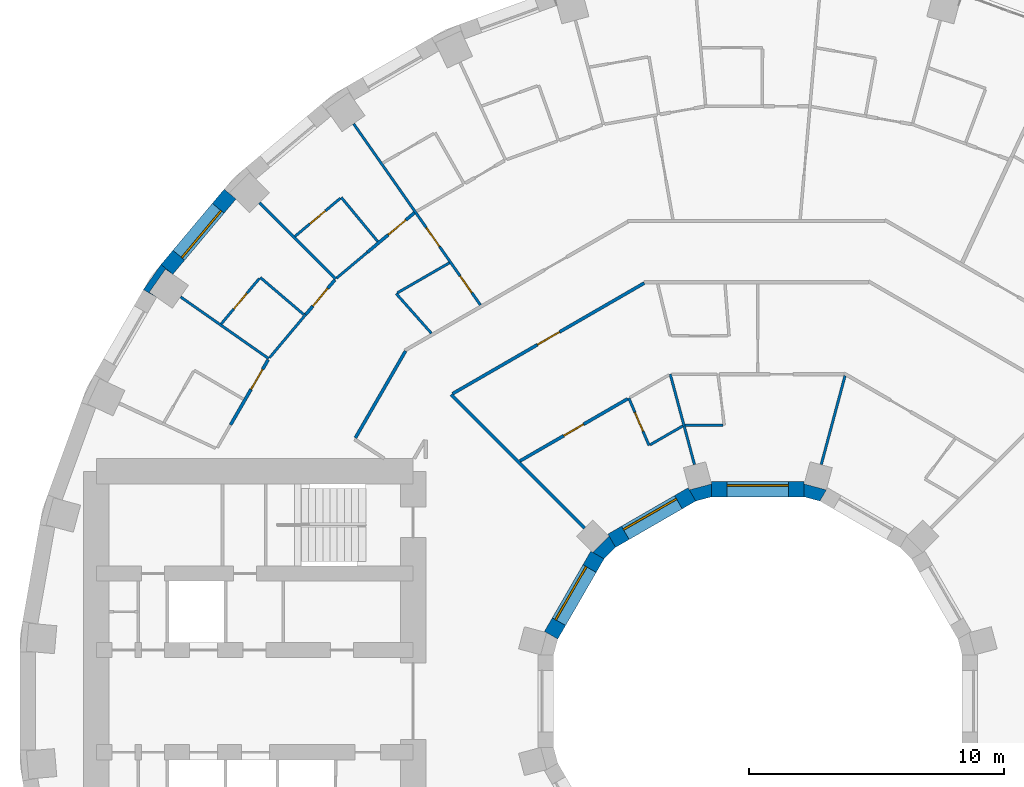
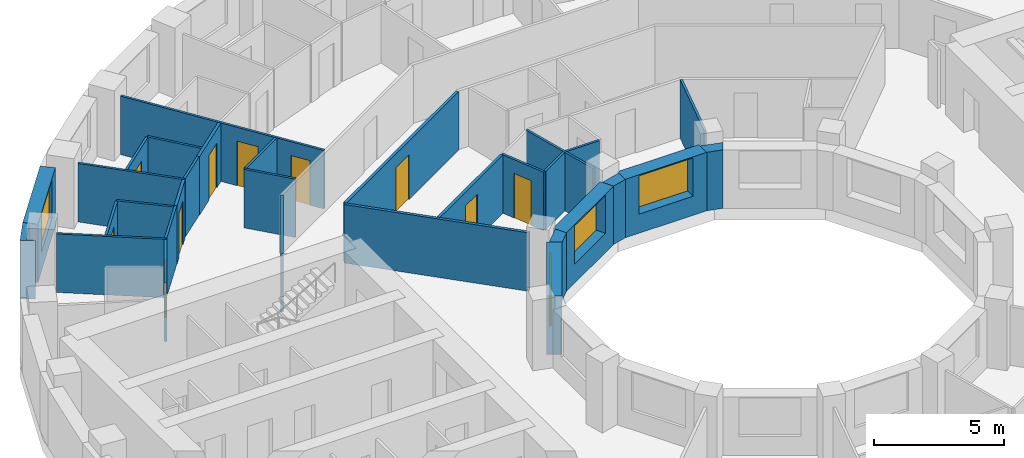
# One storey, part 10 of 15: 31 walls, 10 doors, 4 windows, 14 openings.
"""IFC4 building model written with IfcOpenShell, lengths in metres."""

from ifc_helpers import new_model, si_unit, direction, frame, frame_2d, origin, place, context, subcontext, project, spatial, polyline, rectangle, outline, extrude, material, layer, layer_set, type_object, element, fill, save


model = new_model("IFC4")

# Units and contexts
model_context = context("Model", 3, precision=1e-05, world=origin(), true_north=direction((0.0, 1.0)))
body_context = subcontext(model_context, "Body", "Model", "MODEL_VIEW")
ifc_project = project(units=[si_unit("LENGTHUNIT", "METRE"), si_unit("AREAUNIT", "SQUARE_METRE"), si_unit("VOLUMEUNIT", "CUBIC_METRE"), si_unit("PLANEANGLEUNIT", "RADIAN"), si_unit("MASSUNIT", "GRAM", prefix="KILO")], contexts=[model_context])

# Site, building, storey
site_placement = place(None, origin())
site = spatial("IfcSite", under=ifc_project, at=site_placement, CompositionType="ELEMENT")
building_placement = place(site_placement, origin())
building = spatial("IfcBuilding", under=site, at=building_placement, Name="Saqina Gate Tower", CompositionType="ELEMENT")
storey_placement = place(building_placement, frame((0.0, 0.0, 69.199951171875)))
storey = spatial("IfcBuildingStorey", under=building, at=storey_placement, Name="L19", CompositionType="ELEMENT", Elevation=69.199951171875)

# Wall
ifc_material_1 = material(Name="Brick masonry (red)", Category="masonry")
wall_type_1 = type_object("IfcWallType", Name="BRICK PIER COPING RED", PredefinedType="SOLIDWALL", material=ifc_material_1)
wall_1_placement = place(storey_placement, origin())
element("IfcWall", 1, at=wall_1_placement, inside=storey, type_object=wall_type_1, Name="Pier cap L19 column 15", PredefinedType="SOLIDWALL", context=body_context, shape_type="SweptSolid", body=[
    extrude(outline(polyline([(-23.36669921875, 17.096923828125), (-24.0576171875, 16.110107421875), (-23.5380859375, 15.81005859375), (-23.8251953125, 16.010986328125), (-23.194091796875, 16.912109375), (-22.9072265625, 16.711181640625), (-23.36669921875, 17.096923828125)])), origin(), (0.0, 0.0, 1.0), 2.75),
])

# Wall, opening, window
ifc_material_2 = material(Name="Brick masonry (red)", Category="masonry")
ifc_layer_1 = layer(ifc_material_2, 0.60009765625)
ifc_layer_set_1 = layer_set([ifc_layer_1], Name="FW-BRICK-RED")
wall_type_2 = type_object("IfcWallType", Name="FW-BRICK-RED", PredefinedType="SOLIDWALL", material=ifc_layer_set_1)
wall_2_placement = place(storey_placement, frame((-20.664794921875, 19.85009765625, 0.0), z_axis=(0.0, 0.0, 1.0), x_axis=(-0.642809392687, -0.766026164483, 0.0)))
wall_2 = element("IfcWall", 2, at=wall_2_placement, inside=storey, type_object=wall_type_2, Name="Facade wall L19 facet 14", PredefinedType="SOLIDWALL", context=body_context, shape_type="SweptSolid", body=[
    extrude(rectangle(XDim=3.845947265625, YDim=0.60009765625, at=frame_2d((1.9228515625, 0.0))), origin(), (0.0, 0.0, 1.0), 2.75),
])
opening_1_placement = place(wall_2_placement, frame((0.722900390625, 0.0, 0.89990234375)))
opening_1 = element("IfcOpeningElement", 3, at=opening_1_placement, cuts=wall_2, Name="Opening G05-W08", PredefinedType="OPENING", context=body_context, shape_type="SweptSolid", body=[
    extrude(rectangle(XDim=2.39990234375, YDim=1.800048828125, at=frame_2d((1.199951171875, 0.89990234375))), frame((0.0, 0.31201171875, 0.0), z_axis=(0.0, -1.0, 0.0), x_axis=(1.0, 0.0, 0.0)), (0.0, 0.0, 1.0), 0.6240234375),
])
ifc_material_3 = material(Name="Aluminium glazing", Category="aluminium")
window_type_1 = type_object("IfcWindowType", Name="WN-A", PartitioningType="SINGLE_PANEL", PredefinedType="WINDOW", material=ifc_material_3)
window_1_placement = place(opening_1_placement, origin())
window_1 = element("IfcWindow", 4, at=window_1_placement, inside=storey, type_object=window_type_1, Name="Window L19 facet 14", OverallHeight=1.800048828125, OverallWidth=2.39990234375, PartitioningType="SINGLE_PANEL", PredefinedType="WINDOW", context=body_context, shape_type="SweptSolid", body=[
    extrude(rectangle(XDim=2.39990234375, YDim=1.800048828125, at=frame_2d((1.199951171875, 0.89990234375))), frame((0.0, 0.179931640625, 0.0), z_axis=(0.0, -1.0, 0.0), x_axis=(1.0, 0.0, 0.0)), (0.0, 0.0, 1.0), 0.06005859375),
])
fill(opening_1, window_1)

ifc_material_4 = material(Name="Glazed ceramic tile", Category="ceramic")
ifc_layer_2 = layer(ifc_material_4, 0.60009765625)
ifc_layer_set_2 = layer_set([ifc_layer_2], Name="IW-TILE")
wall_type_3 = type_object("IfcWallType", Name="IW-TILE", PredefinedType="SOLIDWALL", material=ifc_layer_set_2)
wall_3_placement = place(storey_placement, frame((1.8125, 8.300048828125, 0.0), z_axis=(0.0, 0.0, 1.0), x_axis=(-1.0, 0.0, 0.0)))
wall_3 = element("IfcWall", 5, at=wall_3_placement, inside=storey, type_object=wall_type_3, Name="Well wall L19 facet 3", PredefinedType="SOLIDWALL", context=body_context, shape_type="SweptSolid", body=[
    extrude(rectangle(XDim=3.625, YDim=0.60009765625, at=frame_2d((1.8125, 0.0))), origin(), (0.0, 0.0, 1.0), 2.75),
])
opening_2_placement = place(wall_3_placement, frame((0.612548828125, 0.0, 0.89990234375)))
opening_2 = element("IfcOpeningElement", 6, at=opening_2_placement, cuts=wall_3, Name="Opening G05-W25", PredefinedType="OPENING", context=body_context, shape_type="SweptSolid", body=[
    extrude(rectangle(XDim=2.39990234375, YDim=1.800048828125, at=frame_2d((1.199951171875, 0.89990234375))), frame((0.0, 0.31201171875, 0.0), z_axis=(0.0, -1.0, 0.0), x_axis=(1.0, 0.0, 0.0)), (0.0, 0.0, 1.0), 0.6240234375),
])
ifc_material_5 = material(Name="Aluminium glazing", Category="aluminium")
window_type_2 = type_object("IfcWindowType", Name="WN-W", PartitioningType="SINGLE_PANEL", PredefinedType="WINDOW", material=ifc_material_5)
window_2_placement = place(opening_2_placement, origin())
window_2 = element("IfcWindow", 7, at=window_2_placement, inside=storey, type_object=window_type_2, Name="Well window L19 facet 3", OverallHeight=1.800048828125, OverallWidth=2.39990234375, PartitioningType="SINGLE_PANEL", PredefinedType="WINDOW", context=body_context, shape_type="SweptSolid", body=[
    extrude(rectangle(XDim=2.39990234375, YDim=1.800048828125, at=frame_2d((1.199951171875, 0.89990234375))), frame((0.0, -0.119873046875, 0.0), z_axis=(0.0, -1.0, 0.0), x_axis=(1.0, 0.0, 0.0)), (0.0, 0.0, 1.0), 0.06005859375),
])
fill(opening_2, window_2)

wall_4_placement = place(storey_placement, frame((-2.580322265625, 8.09423828125, 0.0), z_axis=(0.0, 0.0, 1.0), x_axis=(-0.866029693906, -0.499992569217, 0.0)))
wall_4 = element("IfcWall", 8, at=wall_4_placement, inside=storey, type_object=wall_type_3, Name="Well wall L19 facet 4", PredefinedType="SOLIDWALL", context=body_context, shape_type="SweptSolid", body=[
    extrude(rectangle(XDim=3.625, YDim=0.60009765625, at=frame_2d((1.8125, 0.0))), origin(), (0.0, 0.0, 1.0), 2.75),
])
opening_3_placement = place(wall_4_placement, frame((0.612548828125, 0.0, 0.89990234375)))
opening_3 = element("IfcOpeningElement", 9, at=opening_3_placement, cuts=wall_4, Name="Opening G05-W26", PredefinedType="OPENING", context=body_context, shape_type="SweptSolid", body=[
    extrude(rectangle(XDim=2.39990234375, YDim=1.800048828125, at=frame_2d((1.199951171875, 0.89990234375))), frame((0.0, 0.31201171875, 0.0), z_axis=(0.0, -1.0, 0.0), x_axis=(1.0, 0.0, 0.0)), (0.0, 0.0, 1.0), 0.6240234375),
])
window_3_placement = place(opening_3_placement, origin())
window_3 = element("IfcWindow", 10, at=window_3_placement, inside=storey, type_object=window_type_2, Name="Well window L19 facet 4", OverallHeight=1.800048828125, OverallWidth=2.39990234375, PartitioningType="SINGLE_PANEL", PredefinedType="WINDOW", context=body_context, shape_type="SweptSolid", body=[
    extrude(rectangle(XDim=2.39990234375, YDim=1.800048828125, at=frame_2d((1.199951171875, 0.89990234375))), frame((0.0, -0.119873046875, 0.0), z_axis=(0.0, -1.0, 0.0), x_axis=(1.0, 0.0, 0.0)), (0.0, 0.0, 1.0), 0.06005859375),
])
fill(opening_3, window_3)

wall_5_placement = place(storey_placement, frame((-6.28173828125, 5.7197265625, 0.0), z_axis=(0.0, 0.0, 1.0), x_axis=(-0.499992569217, -0.866029693906, 0.0)))
wall_5 = element("IfcWall", 11, at=wall_5_placement, inside=storey, type_object=wall_type_3, Name="Well wall L19 facet 5", PredefinedType="SOLIDWALL", context=body_context, shape_type="SweptSolid", body=[
    extrude(rectangle(XDim=3.625, YDim=0.60009765625, at=frame_2d((1.8125, 0.0))), origin(), (0.0, 0.0, 1.0), 2.75),
])
opening_4_placement = place(wall_5_placement, frame((0.612548828125, 0.0, 0.89990234375)))
opening_4 = element("IfcOpeningElement", 12, at=opening_4_placement, cuts=wall_5, Name="Opening G05-W27", PredefinedType="OPENING", context=body_context, shape_type="SweptSolid", body=[
    extrude(rectangle(XDim=2.39990234375, YDim=1.800048828125, at=frame_2d((1.199951171875, 0.89990234375))), frame((0.0, 0.31201171875, 0.0), z_axis=(0.0, -1.0, 0.0), x_axis=(1.0, 0.0, 0.0)), (0.0, 0.0, 1.0), 0.6240234375),
])
window_4_placement = place(opening_4_placement, origin())
window_4 = element("IfcWindow", 13, at=window_4_placement, inside=storey, type_object=window_type_2, Name="Well window L19 facet 5", OverallHeight=1.800048828125, OverallWidth=2.39990234375, PartitioningType="SINGLE_PANEL", PredefinedType="WINDOW", context=body_context, shape_type="SweptSolid", body=[
    extrude(rectangle(XDim=2.39990234375, YDim=1.800048828125, at=frame_2d((1.199951171875, 0.89990234375))), frame((0.0, -0.119873046875, 0.0), z_axis=(0.0, -1.0, 0.0), x_axis=(1.0, 0.0, 0.0)), (0.0, 0.0, 1.0), 0.06005859375),
])
fill(opening_4, window_4)

# Wall
ifc_material_6 = material(Name="Gypsum board on steel studs, 100 mm", Category="steel")
ifc_layer_3 = layer(ifc_material_6, 0.10009765625)
ifc_layer_set_3 = layer_set([ifc_layer_3], Name="PARTITION 100")
wall_type_4 = type_object("IfcWallType", Name="PARTITION 100", PredefinedType="PARTITIONING", material=ifc_layer_set_3)
wall_6_placement = place(storey_placement, frame((-3.429931640625, 12.800048828125, 0.0), z_axis=(0.0, 0.0, 1.0), x_axis=(0.258858359558, -0.965915291155, 0.0)))
element("IfcWall", 14, at=wall_6_placement, inside=storey, type_object=wall_type_4, Name="PARTITION PW3-13", PredefinedType="PARTITIONING", context=body_context, shape_type="SweptSolid", body=[
    extrude(rectangle(XDim=3.659423828125, YDim=0.10009765625, at=frame_2d((1.82958984375, 0.0))), origin(), (0.0, 0.0, 1.0), 2.75),
])

# Wall, opening, door
wall_7_placement = place(storey_placement, frame((-5.050048828125, 11.864013671875, 0.0), z_axis=(0.0, 0.0, 1.0), x_axis=(0.391782259177, -0.920057966323, 0.0)))
wall_7 = element("IfcWall", 15, at=wall_7_placement, inside=storey, type_object=wall_type_4, Name="PARTITION PW3-18", PredefinedType="PARTITIONING", context=body_context, shape_type="SweptSolid", body=[
    extrude(rectangle(XDim=2.013916015625, YDim=0.10009765625, at=frame_2d((1.0068359375, 0.0))), origin(), (0.0, 0.0, 1.0), 2.75),
])
opening_5_placement = place(wall_7_placement, frame((0.60693359375, 0.0, 0.0)))
opening_5 = element("IfcOpeningElement", 16, at=opening_5_placement, cuts=wall_7, Name="Opening G05-D22", PredefinedType="OPENING", context=body_context, shape_type="SweptSolid", body=[
    extrude(rectangle(XDim=0.800048828125, YDim=2.10009765625, at=frame_2d((0.39990234375, 1.050048828125))), frame((0.0, 0.06201171875, 0.0), z_axis=(0.0, -1.0, 0.0), x_axis=(1.0, 0.0, 0.0)), (0.0, 0.0, 1.0), 0.1240234375),
])
ifc_material_7 = material(Name="Timber door leaf, 800 mm", Category="wood")
door_type_1 = type_object("IfcDoorType", Name="DOOR 800 TIMBER", OperationType="SINGLE_SWING_LEFT", PredefinedType="DOOR", material=ifc_material_7)
door_1_placement = place(opening_5_placement, frame((0.800048828125, 0.0, 0.0), z_axis=(0.0, 0.0, 1.0), x_axis=(-1.0, 0.0, 0.0)))
door_1 = element("IfcDoor", 17, at=door_1_placement, inside=storey, type_object=door_type_1, Name="DOOR G05-D22", OperationType="SINGLE_SWING_RIGHT", OverallHeight=2.10009765625, OverallWidth=0.800048828125, PredefinedType="DOOR", context=body_context, shape_type="SweptSolid", body=[
    extrude(rectangle(XDim=0.800048828125, YDim=2.10009765625, at=frame_2d((0.39990234375, 1.050048828125))), frame((0.0, 0.02490234375, 0.0), z_axis=(0.0, -1.0, 0.0), x_axis=(1.0, 0.0, 0.0)), (0.0, 0.0, 1.0), 0.050048828125),
])
fill(opening_5, door_1)

# Wall, openings, doors
wall_8_placement = place(storey_placement, frame((-15.82470703125, 22.6005859375, 0.0), z_axis=(0.0, 0.0, 1.0), x_axis=(0.57339608395, -0.819278298816, 0.0)))
wall_8 = element("IfcWall", 18, at=wall_8_placement, inside=storey, type_object=wall_type_4, Name="PARTITION PW3-24", PredefinedType="PARTITIONING", context=body_context, shape_type="SweptSolid", body=[
    extrude(rectangle(XDim=8.6552734375, YDim=0.10009765625, at=frame_2d((4.32763671875, 0.0))), origin(), (0.0, 0.0, 1.0), 2.75),
])
opening_6_placement = place(wall_8_placement, frame((7.263671875, 0.0, 0.0)))
opening_6 = element("IfcOpeningElement", 19, at=opening_6_placement, cuts=wall_8, Name="Opening G05-D28", PredefinedType="OPENING", context=body_context, shape_type="SweptSolid", body=[
    extrude(rectangle(XDim=0.800048828125, YDim=2.10009765625, at=frame_2d((0.39990234375, 1.050048828125))), frame((0.0, 0.06201171875, 0.0), z_axis=(0.0, -1.0, 0.0), x_axis=(1.0, 0.0, 0.0)), (0.0, 0.0, 1.0), 0.1240234375),
])
opening_7_placement = place(wall_8_placement, frame((4.96044921875, 0.0, 0.0)))
opening_7 = element("IfcOpeningElement", 20, at=opening_7_placement, cuts=wall_8, Name="Opening G05-D29", PredefinedType="OPENING", context=body_context, shape_type="SweptSolid", body=[
    extrude(rectangle(XDim=0.89990234375, YDim=2.10009765625, at=frame_2d((0.449951171875, 1.050048828125))), frame((0.0, 0.06201171875, 0.0), z_axis=(0.0, -1.0, 0.0), x_axis=(1.0, 0.0, 0.0)), (0.0, 0.0, 1.0), 0.1240234375),
])
door_2_placement = place(opening_6_placement, origin())
door_2 = element("IfcDoor", 21, at=door_2_placement, inside=storey, type_object=door_type_1, Name="DOOR G05-D28", OperationType="SINGLE_SWING_RIGHT", OverallHeight=2.10009765625, OverallWidth=0.800048828125, PredefinedType="DOOR", context=body_context, shape_type="SweptSolid", body=[
    extrude(rectangle(XDim=0.800048828125, YDim=2.10009765625, at=frame_2d((0.39990234375, 1.050048828125))), frame((0.0, 0.02490234375, 0.0), z_axis=(0.0, -1.0, 0.0), x_axis=(1.0, 0.0, 0.0)), (0.0, 0.0, 1.0), 0.050048828125),
])
fill(opening_6, door_2)
ifc_material_8 = material(Name="Timber door leaf, 900 mm", Category="wood")
door_type_2 = type_object("IfcDoorType", Name="DOOR 900 TIMBER", OperationType="SINGLE_SWING_LEFT", PredefinedType="DOOR", material=ifc_material_8)
door_3_placement = place(opening_7_placement, frame((0.89990234375, 0.0, 0.0), z_axis=(0.0, 0.0, 1.0), x_axis=(-1.0, 0.0, 0.0)))
door_3 = element("IfcDoor", 22, at=door_3_placement, inside=storey, type_object=door_type_2, Name="DOOR G05-D29", OperationType="SINGLE_SWING_LEFT", OverallHeight=2.10009765625, OverallWidth=0.89990234375, PredefinedType="DOOR", context=body_context, shape_type="SweptSolid", body=[
    extrude(rectangle(XDim=0.89990234375, YDim=2.10009765625, at=frame_2d((0.449951171875, 1.050048828125))), frame((0.0, 0.02490234375, 0.0), z_axis=(0.0, -1.0, 0.0), x_axis=(1.0, 0.0, 0.0)), (0.0, 0.0, 1.0), 0.050048828125),
])
fill(opening_7, door_3)

# Walls
wall_9_placement = place(storey_placement, frame((-16.30810546875, 19.720947265625, 0.0), z_axis=(0.0, 0.0, 1.0), x_axis=(0.637464982276, -0.770479328971, 0.0)))
element("IfcWall", 23, at=wall_9_placement, inside=storey, type_object=wall_type_4, Name="PARTITION PW3-28", PredefinedType="PARTITIONING", context=body_context, shape_type="SweptSolid", body=[
    extrude(rectangle(XDim=2.2373046875, YDim=0.10009765625, at=frame_2d((1.11865234375, 0.0))), origin(), (0.0, 0.0, 1.0), 2.75),
])
wall_10_placement = place(storey_placement, frame((-14.162109375, 15.95703125, 0.0), z_axis=(0.0, 0.0, 1.0), x_axis=(0.663919519931, -0.747804032521, 0.0)))
element("IfcWall", 24, at=wall_10_placement, inside=storey, type_object=wall_type_4, Name="PARTITION PW3-30", PredefinedType="PARTITIONING", context=body_context, shape_type="SweptSolid", body=[
    extrude(rectangle(XDim=2.0810546875, YDim=0.10009765625, at=frame_2d((1.04052734375, 0.0))), origin(), (0.0, 0.0, 1.0), 2.75),
])
wall_11_placement = place(storey_placement, frame((-19.509033203125, 19.509033203125, 0.0), z_axis=(0.0, 0.0, 1.0), x_axis=(0.707106781187, -0.707106781187, 0.0)))
element("IfcWall", 25, at=wall_11_placement, inside=storey, type_object=wall_type_4, Name="PARTITION PW3-31", PredefinedType="PARTITIONING", context=body_context, shape_type="SweptSolid", body=[
    extrude(rectangle(XDim=4.211669921875, YDim=0.10009765625, at=frame_2d((2.10595703125, 0.0))), origin(), (0.0, 0.0, 1.0), 2.75),
])
wall_12_placement = place(storey_placement, frame((-19.48388671875, 16.590087890625, 0.0), z_axis=(0.0, 0.0, 1.0), x_axis=(0.761325032224, -0.648370415201, 0.0)))
element("IfcWall", 26, at=wall_12_placement, inside=storey, type_object=wall_type_4, Name="PARTITION PW3-34", PredefinedType="PARTITIONING", context=body_context, shape_type="SweptSolid", body=[
    extrude(rectangle(XDim=2.237060546875, YDim=0.10009765625, at=frame_2d((1.11865234375, 0.0))), origin(), (0.0, 0.0, 1.0), 2.75),
])
wall_13_placement = place(storey_placement, frame((-22.599853515625, 15.82568359375, 0.0), z_axis=(0.0, 0.0, 1.0), x_axis=(0.818956755678, -0.573855236388, 0.0)))
element("IfcWall", 27, at=wall_13_placement, inside=storey, type_object=wall_type_4, Name="PARTITION PW3-39", PredefinedType="PARTITIONING", context=body_context, shape_type="SweptSolid", body=[
    extrude(rectangle(XDim=4.21142578125, YDim=0.10009765625, at=frame_2d((2.105712890625, 0.0))), origin(), (0.0, 0.0, 1.0), 2.75),
])
wall_14_placement = place(storey_placement, frame((-2.843994140625, 10.800048828125, 0.0), z_axis=(0.0, 0.0, 1.0), x_axis=(1.0, 0.0, 0.0)))
element("IfcWall", 28, at=wall_14_placement, inside=storey, type_object=wall_type_4, Name="PARTITION PW3-62", PredefinedType="PARTITIONING", context=body_context, shape_type="SweptSolid", body=[
    extrude(rectangle(XDim=1.47900390625, YDim=0.10009765625, at=frame_2d((0.739501953125, 0.0))), origin(), (0.0, 0.0, 1.0), 2.75),
])
wall_15_placement = place(storey_placement, frame((-4.2177734375, 10.035888671875, 0.0), z_axis=(0.0, 0.0, 1.0), x_axis=(0.866111350081, 0.499851107092, 0.0)))
element("IfcWall", 29, at=wall_15_placement, inside=storey, type_object=wall_type_4, Name="PARTITION PW3-78", PredefinedType="PARTITIONING", context=body_context, shape_type="SweptSolid", body=[
    extrude(rectangle(XDim=1.478515625, YDim=0.10009765625, at=frame_2d((0.7392578125, 0.0))), origin(), (0.0, 0.0, 1.0), 2.75),
])
wall_16_placement = place(storey_placement, frame((-14.11865234375, 15.98193359375, 0.0), z_axis=(0.0, 0.0, 1.0), x_axis=(0.865945816379, 0.5001378241, 0.0)))
element("IfcWall", 30, at=wall_16_placement, inside=storey, type_object=wall_type_4, Name="PARTITION PW3-80", PredefinedType="PARTITIONING", context=body_context, shape_type="SweptSolid", body=[
    extrude(rectangle(XDim=2.357177734375, YDim=0.10009765625, at=frame_2d((1.1787109375, 0.0))), origin(), (0.0, 0.0, 1.0), 2.75),
])
wall_17_placement = place(storey_placement, frame((-16.49267578125, 16.563232421875, 0.0), z_axis=(0.0, 0.0, 1.0), x_axis=(0.765882590802, 0.642980448463, 0.0)))
element("IfcWall", 31, at=wall_17_placement, inside=storey, type_object=wall_type_4, Name="PARTITION PW3-85", PredefinedType="PARTITIONING", context=body_context, shape_type="SweptSolid", body=[
    extrude(rectangle(XDim=1.5693359375, YDim=0.10009765625, at=frame_2d((0.78466796875, 0.0))), origin(), (0.0, 0.0, 1.0), 2.75),
])

# Wall, opening, door
wall_18_placement = place(storey_placement, frame((-18.125732421875, 18.196044921875, 0.0), z_axis=(0.0, 0.0, 1.0), x_axis=(0.766106399864, 0.642713765286, 0.0)))
wall_18 = element("IfcWall", 32, at=wall_18_placement, inside=storey, type_object=wall_type_4, Name="PARTITION PW3-86", PredefinedType="PARTITIONING", context=body_context, shape_type="SweptSolid", body=[
    extrude(rectangle(XDim=2.32275390625, YDim=0.10009765625, at=frame_2d((1.161376953125, 0.0))), origin(), (0.0, 0.0, 1.0), 2.75),
])
opening_8_placement = place(wall_18_placement, frame((0.76123046875, 0.0, 0.0)))
opening_8 = element("IfcOpeningElement", 33, at=opening_8_placement, cuts=wall_18, Name="Opening G05-D31", PredefinedType="OPENING", context=body_context, shape_type="SweptSolid", body=[
    extrude(rectangle(XDim=0.800048828125, YDim=2.10009765625, at=frame_2d((0.39990234375, 1.050048828125))), frame((0.0, 0.06201171875, 0.0), z_axis=(0.0, -1.0, 0.0), x_axis=(1.0, 0.0, 0.0)), (0.0, 0.0, 1.0), 0.1240234375),
])
door_4_placement = place(opening_8_placement, origin())
door_4 = element("IfcDoor", 34, at=door_4_placement, inside=storey, type_object=door_type_1, Name="DOOR G05-D31", OperationType="SINGLE_SWING_RIGHT", OverallHeight=2.10009765625, OverallWidth=0.800048828125, PredefinedType="DOOR", context=body_context, shape_type="SweptSolid", body=[
    extrude(rectangle(XDim=0.800048828125, YDim=2.10009765625, at=frame_2d((0.39990234375, 1.050048828125))), frame((0.0, 0.02490234375, 0.0), z_axis=(0.0, -1.0, 0.0), x_axis=(1.0, 0.0, 0.0)), (0.0, 0.0, 1.0), 0.050048828125),
])
fill(opening_8, door_4)

# Wall
wall_19_placement = place(storey_placement, frame((-19.118896484375, 13.447265625, 0.0), z_axis=(0.0, 0.0, 1.0), x_axis=(0.642771526397, 0.766057938313, 0.0)))
element("IfcWall", 35, at=wall_19_placement, inside=storey, type_object=wall_type_4, Name="PARTITION PW3-91", PredefinedType="PARTITIONING", context=body_context, shape_type="SweptSolid", body=[
    extrude(rectangle(XDim=2.2060546875, YDim=0.10009765625, at=frame_2d((1.10302734375, 0.0))), origin(), (0.0, 0.0, 1.0), 2.75),
])

# Wall, opening, door
wall_20_placement = place(storey_placement, frame((-21.009765625, 14.772216796875, 0.0), z_axis=(0.0, 0.0, 1.0), x_axis=(0.642898772456, 0.765951152734, 0.0)))
wall_20 = element("IfcWall", 36, at=wall_20_placement, inside=storey, type_object=wall_type_4, Name="PARTITION PW3-92", PredefinedType="PARTITIONING", context=body_context, shape_type="SweptSolid", body=[
    extrude(rectangle(XDim=2.3232421875, YDim=0.10009765625, at=frame_2d((1.16162109375, 0.0))), origin(), (0.0, 0.0, 1.0), 2.75),
])
opening_9_placement = place(wall_20_placement, frame((0.76171875, 0.0, 0.0)))
opening_9 = element("IfcOpeningElement", 37, at=opening_9_placement, cuts=wall_20, Name="Opening G05-D33", PredefinedType="OPENING", context=body_context, shape_type="SweptSolid", body=[
    extrude(rectangle(XDim=0.800048828125, YDim=2.10009765625, at=frame_2d((0.39990234375, 1.050048828125))), frame((0.0, 0.06201171875, 0.0), z_axis=(0.0, -1.0, 0.0), x_axis=(1.0, 0.0, 0.0)), (0.0, 0.0, 1.0), 0.1240234375),
])
door_5_placement = place(opening_9_placement, origin())
door_5 = element("IfcDoor", 38, at=door_5_placement, inside=storey, type_object=door_type_1, Name="DOOR G05-D33", OperationType="SINGLE_SWING_LEFT", OverallHeight=2.10009765625, OverallWidth=0.800048828125, PredefinedType="DOOR", context=body_context, shape_type="SweptSolid", body=[
    extrude(rectangle(XDim=0.800048828125, YDim=2.10009765625, at=frame_2d((0.39990234375, 1.050048828125))), frame((0.0, 0.02490234375, 0.0), z_axis=(0.0, -1.0, 0.0), x_axis=(1.0, 0.0, 0.0)), (0.0, 0.0, 1.0), 0.050048828125),
])
fill(opening_9, door_5)

# Walls
wall_21_placement = place(storey_placement, frame((2.48291015625, 9.265380859375, 0.0), z_axis=(0.0, 0.0, 1.0), x_axis=(0.258807332054, 0.965928964715, 0.0)))
element("IfcWall", 39, at=wall_21_placement, inside=storey, type_object=wall_type_4, Name="PARTITION PW3-107", PredefinedType="PARTITIONING", context=body_context, shape_type="SweptSolid", body=[
    extrude(rectangle(XDim=3.596923828125, YDim=0.10009765625, at=frame_2d((1.79833984375, 0.0))), origin(), (0.0, 0.0, 1.0), 2.75),
])
ifc_material_9 = material(Name="Gypsum board on steel studs, 125 mm, fire rated", Category="steel")
ifc_layer_4 = layer(ifc_material_9, 0.125)
ifc_layer_set_4 = layer_set([ifc_layer_4], Name="PARTITION EI 30 125")
wall_type_5 = type_object("IfcWallType", Name="PARTITION EI 30 125", PredefinedType="PARTITIONING", material=ifc_layer_set_4)
wall_22_placement = place(storey_placement, frame((-12.006103515625, 12.006103515625, 0.0), z_axis=(0.0, 0.0, 1.0), x_axis=(0.707106781187, -0.707106781187, 0.0)))
element("IfcWall", 40, at=wall_22_placement, inside=storey, type_object=wall_type_5, Name="PARTITION PW1-05", PredefinedType="PARTITIONING", context=body_context, shape_type="SweptSolid", body=[
    extrude(rectangle(XDim=7.386962890625, YDim=0.125, at=frame_2d((3.693359375, 0.0))), origin(), (0.0, 0.0, 1.0), 2.75),
])

# Wall, opening, door
wall_23_placement = place(storey_placement, frame((-9.31591796875, 9.4013671875, 0.0), z_axis=(0.0, 0.0, 1.0), x_axis=(0.866043838253, 0.499968069204, 0.0)))
wall_23 = element("IfcWall", 41, at=wall_23_placement, inside=storey, type_object=wall_type_5, Name="PARTITION PW1-34", PredefinedType="PARTITIONING", context=body_context, shape_type="SweptSolid", body=[
    extrude(rectangle(XDim=4.875732421875, YDim=0.125, at=frame_2d((2.43798828125, 0.0))), origin(), (0.0, 0.0, 1.0), 2.75),
])
opening_10_placement = place(wall_23_placement, frame((1.981689453125, 0.0, 0.0)))
opening_10 = element("IfcOpeningElement", 42, at=opening_10_placement, cuts=wall_23, Name="Opening G05-D27", PredefinedType="OPENING", context=body_context, shape_type="SweptSolid", body=[
    extrude(rectangle(XDim=0.89990234375, YDim=2.10009765625, at=frame_2d((0.449951171875, 1.050048828125))), frame((0.0, 0.074462890625, 0.0), z_axis=(0.0, -1.0, 0.0), x_axis=(1.0, 0.0, 0.0)), (0.0, 0.0, 1.0), 0.14892578125),
])
ifc_material_10 = material(Name="Fire door leaf EI 30, 900 mm")
door_type_3 = type_object("IfcDoorType", Name="DOOR 900 EI 30", OperationType="SINGLE_SWING_LEFT", PredefinedType="DOOR", material=ifc_material_10)
door_6_placement = place(opening_10_placement, origin())
door_6 = element("IfcDoor", 43, at=door_6_placement, inside=storey, type_object=door_type_3, Name="DOOR G05-D27", OperationType="SINGLE_SWING_LEFT", OverallHeight=2.10009765625, OverallWidth=0.89990234375, PredefinedType="DOOR", context=body_context, shape_type="SweptSolid", body=[
    extrude(rectangle(XDim=0.89990234375, YDim=2.10009765625, at=frame_2d((0.449951171875, 1.050048828125))), frame((0.0, 0.02490234375, 0.0), z_axis=(0.0, -1.0, 0.0), x_axis=(1.0, 0.0, 0.0)), (0.0, 0.0, 1.0), 0.050048828125),
])
fill(opening_10, door_6)

wall_24_placement = place(storey_placement, frame((-11.951904296875, 12.037353515625, 0.0), z_axis=(0.0, 0.0, 1.0), x_axis=(0.866072505035, 0.499918409365, 0.0)))
wall_24 = element("IfcWall", 44, at=wall_24_placement, inside=storey, type_object=wall_type_5, Name="PARTITION PW1-35", PredefinedType="PARTITIONING", context=body_context, shape_type="SweptSolid", body=[
    extrude(rectangle(XDim=8.6640625, YDim=0.125, at=frame_2d((4.33203125, 0.0))), origin(), (0.0, 0.0, 1.0), 2.75),
])
opening_11_placement = place(wall_24_placement, frame((3.83203125, 0.0, 0.0)))
opening_11 = element("IfcOpeningElement", 45, at=opening_11_placement, cuts=wall_24, Name="Opening G05-D25", PredefinedType="OPENING", context=body_context, shape_type="SweptSolid", body=[
    extrude(rectangle(XDim=1.0, YDim=2.10009765625, at=frame_2d((0.5, 1.050048828125))), frame((0.0, 0.074462890625, 0.0), z_axis=(0.0, -1.0, 0.0), x_axis=(1.0, 0.0, 0.0)), (0.0, 0.0, 1.0), 0.14892578125),
])
ifc_material_11 = material(Name="Fire door leaf EI 30, 1000 mm")
door_type_4 = type_object("IfcDoorType", Name="DOOR 1000 EI 30", OperationType="SINGLE_SWING_LEFT", PredefinedType="DOOR", material=ifc_material_11)
door_7_placement = place(opening_11_placement, frame((1.0, 0.0, 0.0), z_axis=(0.0, 0.0, 1.0), x_axis=(-1.0, 0.0, 0.0)))
door_7 = element("IfcDoor", 46, at=door_7_placement, inside=storey, type_object=door_type_4, Name="DOOR G05-D25", OperationType="SINGLE_SWING_LEFT", OverallHeight=2.10009765625, OverallWidth=1.0, PredefinedType="DOOR", context=body_context, shape_type="SweptSolid", body=[
    extrude(rectangle(XDim=1.0, YDim=2.10009765625, at=frame_2d((0.5, 1.050048828125))), frame((0.0, 0.02490234375, 0.0), z_axis=(0.0, -1.0, 0.0), x_axis=(1.0, 0.0, 0.0)), (0.0, 0.0, 1.0), 0.050048828125),
])
fill(opening_11, door_7)

wall_25_placement = place(storey_placement, frame((-15.290771484375, 17.572265625, 0.0), z_axis=(0.0, 0.0, 1.0), x_axis=(0.766188320354, 0.642616104492, 0.0)))
wall_25 = element("IfcWall", 47, at=wall_25_placement, inside=storey, type_object=wall_type_5, Name="PARTITION PW1-41", PredefinedType="PARTITIONING", context=body_context, shape_type="SweptSolid", body=[
    extrude(rectangle(XDim=2.406494140625, YDim=0.125, at=frame_2d((1.203125, 0.0))), origin(), (0.0, 0.0, 1.0), 2.75),
])
opening_12_placement = place(wall_25_placement, frame((1.0712890625, 0.0, 0.0)))
opening_12 = element("IfcOpeningElement", 48, at=opening_12_placement, cuts=wall_25, Name="Opening G05-D30", PredefinedType="OPENING", context=body_context, shape_type="SweptSolid", body=[
    extrude(rectangle(XDim=0.89990234375, YDim=2.10009765625, at=frame_2d((0.449951171875, 1.050048828125))), frame((0.0, 0.074462890625, 0.0), z_axis=(0.0, -1.0, 0.0), x_axis=(1.0, 0.0, 0.0)), (0.0, 0.0, 1.0), 0.14892578125),
])
door_8_placement = place(opening_12_placement, origin())
door_8 = element("IfcDoor", 49, at=door_8_placement, inside=storey, type_object=door_type_3, Name="DOOR G05-D30", OperationType="SINGLE_SWING_RIGHT", OverallHeight=2.10009765625, OverallWidth=0.89990234375, PredefinedType="DOOR", context=body_context, shape_type="SweptSolid", body=[
    extrude(rectangle(XDim=0.89990234375, YDim=2.10009765625, at=frame_2d((0.449951171875, 1.050048828125))), frame((0.0, 0.02490234375, 0.0), z_axis=(0.0, -1.0, 0.0), x_axis=(1.0, 0.0, 0.0)), (0.0, 0.0, 1.0), 0.050048828125),
])
fill(opening_12, door_8)

wall_26_placement = place(storey_placement, frame((-17.700927734375, 15.13720703125, 0.0), z_axis=(0.0, 0.0, 1.0), x_axis=(0.642894375175, 0.765954843557, 0.0)))
wall_26 = element("IfcWall", 50, at=wall_26_placement, inside=storey, type_object=wall_type_5, Name="PARTITION PW1-45", PredefinedType="PARTITIONING", context=body_context, shape_type="SweptSolid", body=[
    extrude(rectangle(XDim=1.76953125, YDim=0.125, at=frame_2d((0.884765625, 0.0))), origin(), (0.0, 0.0, 1.0), 2.75),
])
opening_13_placement = place(wall_26_placement, frame((0.434814453125, 0.0, 0.0)))
opening_13 = element("IfcOpeningElement", 51, at=opening_13_placement, cuts=wall_26, Name="Opening G05-D32", PredefinedType="OPENING", context=body_context, shape_type="SweptSolid", body=[
    extrude(rectangle(XDim=0.89990234375, YDim=2.10009765625, at=frame_2d((0.449951171875, 1.050048828125))), frame((0.0, 0.074462890625, 0.0), z_axis=(0.0, -1.0, 0.0), x_axis=(1.0, 0.0, 0.0)), (0.0, 0.0, 1.0), 0.14892578125),
])
door_9_placement = place(opening_13_placement, frame((0.89990234375, 0.0, 0.0), z_axis=(0.0, 0.0, 1.0), x_axis=(-1.0, 0.0, 0.0)))
door_9 = element("IfcDoor", 52, at=door_9_placement, inside=storey, type_object=door_type_3, Name="DOOR G05-D32", OperationType="SINGLE_SWING_LEFT", OverallHeight=2.10009765625, OverallWidth=0.89990234375, PredefinedType="DOOR", context=body_context, shape_type="SweptSolid", body=[
    extrude(rectangle(XDim=0.89990234375, YDim=2.10009765625, at=frame_2d((0.449951171875, 1.050048828125))), frame((0.0, 0.02490234375, 0.0), z_axis=(0.0, -1.0, 0.0), x_axis=(1.0, 0.0, 0.0)), (0.0, 0.0, 1.0), 0.050048828125),
])
fill(opening_13, door_9)

# Wall
wall_27_placement = place(storey_placement, frame((-15.7578125, 10.30712890625, 0.0), z_axis=(0.0, 0.0, 1.0), x_axis=(0.499916150712, 0.866073808781, 0.0)))
element("IfcWall", 53, at=wall_27_placement, inside=storey, type_object=wall_type_5, Name="PARTITION PW1-50", PredefinedType="PARTITIONING", context=body_context, shape_type="SweptSolid", body=[
    extrude(rectangle(XDim=3.927978515625, YDim=0.125, at=frame_2d((1.9638671875, 0.0))), origin(), (0.0, 0.0, 1.0), 2.75),
])

# Wall, opening, door
wall_28_placement = place(storey_placement, frame((-20.64599609375, 10.818359375, 0.0), z_axis=(0.0, 0.0, 1.0), x_axis=(0.500129612544, 0.865950559014, 0.0)))
wall_28 = element("IfcWall", 54, at=wall_28_placement, inside=storey, type_object=wall_type_5, Name="PARTITION PW1-51", PredefinedType="PARTITIONING", context=body_context, shape_type="SweptSolid", body=[
    extrude(rectangle(XDim=2.941162109375, YDim=0.125, at=frame_2d((1.470703125, 0.0))), origin(), (0.0, 0.0, 1.0), 2.75),
])
opening_14_placement = place(wall_28_placement, frame((1.606201171875, 0.0, 0.0)))
opening_14 = element("IfcOpeningElement", 55, at=opening_14_placement, cuts=wall_28, Name="Opening G05-D34", PredefinedType="OPENING", context=body_context, shape_type="SweptSolid", body=[
    extrude(rectangle(XDim=0.89990234375, YDim=2.10009765625, at=frame_2d((0.449951171875, 1.050048828125))), frame((0.0, 0.074462890625, 0.0), z_axis=(0.0, -1.0, 0.0), x_axis=(1.0, 0.0, 0.0)), (0.0, 0.0, 1.0), 0.14892578125),
])
door_10_placement = place(opening_14_placement, frame((0.89990234375, 0.0, 0.0), z_axis=(0.0, 0.0, 1.0), x_axis=(-1.0, 0.0, 0.0)))
door_10 = element("IfcDoor", 56, at=door_10_placement, inside=storey, type_object=door_type_3, Name="DOOR G05-D34", OperationType="SINGLE_SWING_LEFT", OverallHeight=2.10009765625, OverallWidth=0.89990234375, PredefinedType="DOOR", context=body_context, shape_type="SweptSolid", body=[
    extrude(rectangle(XDim=0.89990234375, YDim=2.10009765625, at=frame_2d((0.449951171875, 1.050048828125))), frame((0.0, 0.02490234375, 0.0), z_axis=(0.0, -1.0, 0.0), x_axis=(1.0, 0.0, 0.0)), (0.0, 0.0, 1.0), 0.050048828125),
])
fill(opening_14, door_10)

# Walls
ifc_material_12 = material(Name="Glazed ceramic tile", Category="ceramic")
wall_type_6 = type_object("IfcWallType", Name="TILE PIER COPING", PredefinedType="SOLIDWALL", material=ifc_material_12)
wall_29_placement = place(storey_placement, origin())
element("IfcWall", 57, at=wall_29_placement, inside=storey, type_object=wall_type_6, Name="Well pier cap L19 column 3", PredefinedType="SOLIDWALL", context=body_context, shape_type="SweptSolid", body=[
    extrude(outline(polyline([(1.8125, 8.502685546875), (1.8125, 8.0), (2.430419921875, 7.83447265625), (2.681884765625, 8.27001953125), (1.8125, 8.502685546875)])), origin(), (0.0, 0.0, 1.0), 2.75),
])
wall_30_placement = place(storey_placement, origin())
element("IfcWall", 58, at=wall_30_placement, inside=storey, type_object=wall_type_6, Name="Well pier cap L19 column 4", PredefinedType="SOLIDWALL", context=body_context, shape_type="SweptSolid", body=[
    extrude(outline(polyline([(-2.681884765625, 8.27001953125), (-2.430419921875, 7.83447265625), (-1.8125, 8.0), (-1.8125, 8.502685546875), (-2.681884765625, 8.27001953125)])), origin(), (0.0, 0.0, 1.0), 2.75),
])
wall_31_placement = place(storey_placement, origin())
element("IfcWall", 59, at=wall_31_placement, inside=storey, type_object=wall_type_6, Name="Well pier cap L19 column 5", PredefinedType="SOLIDWALL", context=body_context, shape_type="SweptSolid", body=[
    extrude(outline(polyline([(-6.45751953125, 5.821044921875), (-6.02197265625, 5.569580078125), (-5.569580078125, 6.02197265625), (-5.821044921875, 6.45751953125), (-6.45751953125, 5.821044921875)])), origin(), (0.0, 0.0, 1.0), 2.75),
])

save(model, "model.ifc")
